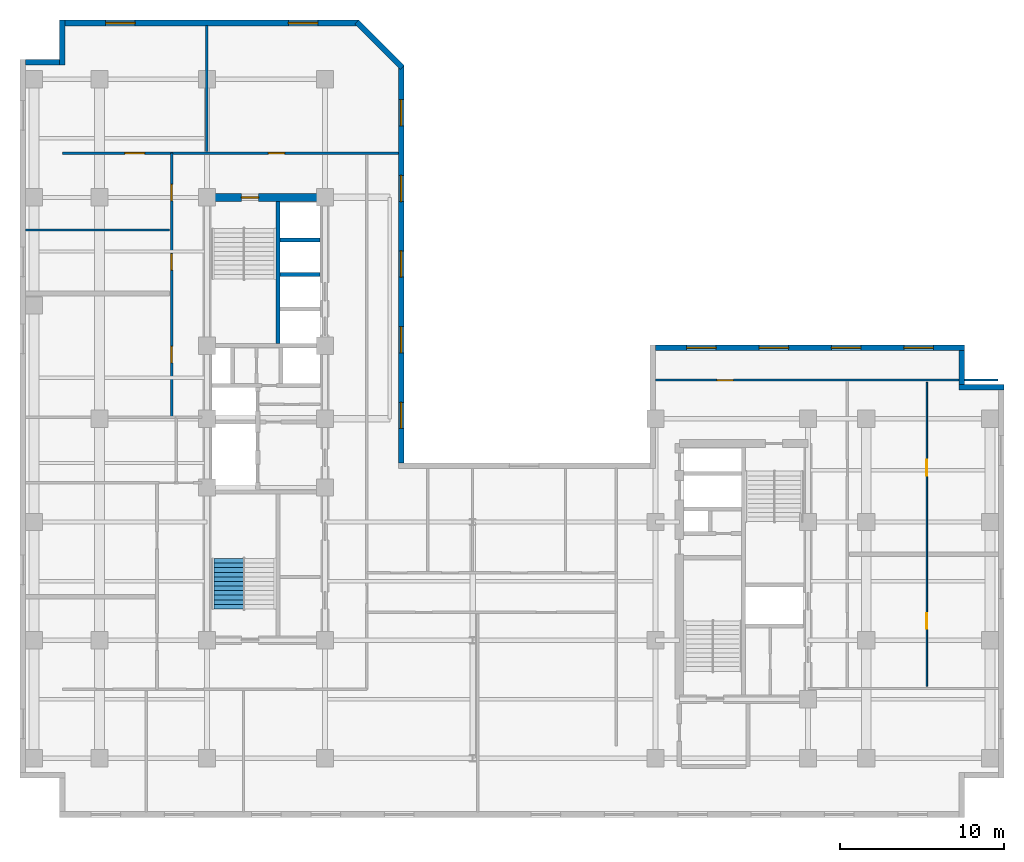
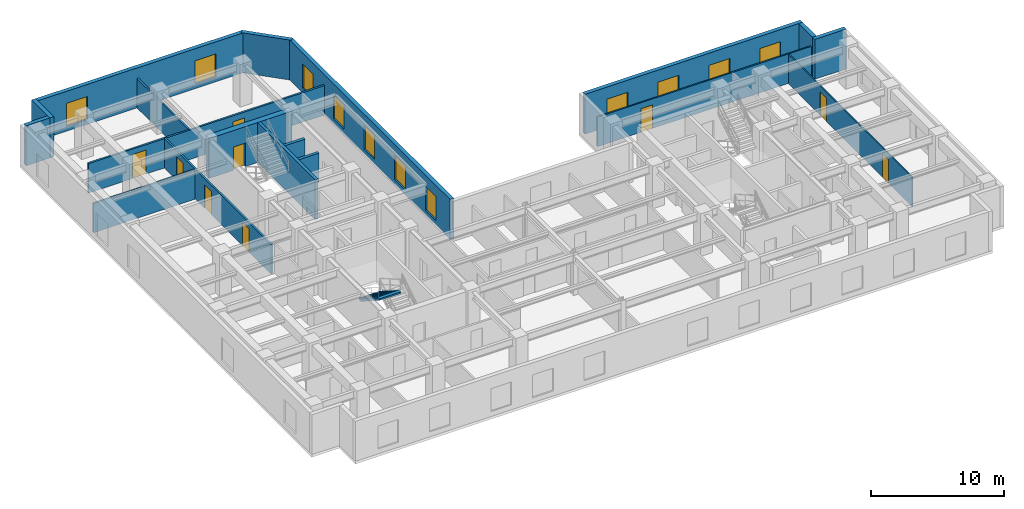
# One storey, part 6 of 10: 18 walls, 11 windows, 9 doors, 1 stair flight, 20 openings, 1 element without a shape of its own.
"""IFC4 building model written with IfcOpenShell, lengths in metres."""

from ifc_helpers import new_model, entity, si_unit, converted_unit, direction, frame, origin_with_axes, origin_2d_with_axis, place, context, subcontext, project, spatial, polyline, rectangle, outline, extrude, material, layer, layer_set, type_object, element, fill, aggregate, save


model = new_model("IFC4")

# Units and contexts
model_context = context("Model", 3, precision=1e-05, world=origin_with_axes(), true_north=direction((0.0, 1.0)))
body_context = subcontext(model_context, "Body", "Model", "MODEL_VIEW")
ifc_project = project(units=[si_unit("LENGTHUNIT", "METRE"), si_unit("AREAUNIT", "SQUARE_METRE"), si_unit("VOLUMEUNIT", "CUBIC_METRE"), converted_unit("PLANEANGLEUNIT", "DEGREE", entity("IfcPlaneAngleMeasure", 0.017453292519943295), si_unit("PLANEANGLEUNIT", "RADIAN"), dimensions=[0, 0, 0, 0, 0, 0, 0]), si_unit("MASSUNIT", "GRAM", prefix="KILO"), si_unit("THERMODYNAMICTEMPERATUREUNIT", "KELVIN")], contexts=[model_context])

# Site, building, storey
site_placement = place(None, origin_with_axes())
site = spatial("IfcSite", under=ifc_project, at=site_placement, CompositionType="ELEMENT")
building_placement = place(site_placement, origin_with_axes())
building = spatial("IfcBuilding", under=site, at=building_placement, Name="Varnlund Millrace Tower", CompositionType="ELEMENT")
storey_placement = place(building_placement, frame((0.0, 0.0, 160.2), z_axis=(0.0, 0.0, 1.0), x_axis=(1.0, 0.0, 0.0)))
storey = spatial("IfcBuildingStorey", under=building, at=storey_placement, Name="L39", CompositionType="ELEMENT", Elevation=160.2)

# Wall, opening, door
ifc_material_1 = material(Name="Concrete C70/85", Category="concrete")
ifc_layer_1 = layer(ifc_material_1, 0.5, Name="Concrete C70/85")
ifc_layer_set_1 = layer_set([ifc_layer_1], Name="Concrete C70/85")
wall_type_1 = type_object("IfcWallType", Name="Type-CoreWall-Shear-500-C70", PredefinedType="SHEAR", material=ifc_layer_set_1)
wall_1_placement = place(storey_placement, frame((11.4, 37.8, 0.0), z_axis=(0.0, 0.0, 1.0), x_axis=(1.0, 0.0, 0.0)))
wall_1 = element("IfcWall", 1, at=wall_1_placement, inside=storey, type_object=wall_type_1, Name="Type-CoreWall-Shear-500-C70", PredefinedType="SHEAR", context=body_context, shape_type="SweptSolid", body=[
    extrude(outline(polyline([(0.0, -0.25), (7.2, -0.25), (7.2, 0.25), (0.0, 0.25), (0.0, -0.25)])), origin_with_axes(), (0.0, 0.0, 1.0), 3.66),
])
opening_1_placement = place(wall_1_placement, frame((2.625, 0.0, 0.0), z_axis=(0.0, 0.0, 1.0), x_axis=(1.0, 0.0, 0.0)))
opening_1 = element("IfcOpeningElement", 2, at=opening_1_placement, cuts=wall_1, Name="Opening L39:DR-STA2", PredefinedType="OPENING", context=body_context, shape_type="SweptSolid", body=[
    extrude(rectangle(XDim=1.05, YDim=0.52, at=origin_2d_with_axis()), origin_with_axes(), (0.0, 0.0, 1.0), 2.15),
])
ifc_material_2 = material(Name="Fire-rated hollow steel door", Category="steel")
door_type_1 = type_object("IfcDoorType", Name="Type-FireDoor-Stair-1050X2150", OperationType="NOTDEFINED", PredefinedType="DOOR", material=ifc_material_2)
door_1_placement = place(wall_1_placement, frame((2.625, 0.0, 0.0), z_axis=(0.0, 0.0, 1.0), x_axis=(1.0, 0.0, 0.0)))
door_1 = element("IfcDoor", 3, at=door_1_placement, inside=storey, type_object=door_type_1, Name="Type-FireDoor-Stair-1050X2150", OperationType="SINGLE_SWING_RIGHT", OverallHeight=2.15, OverallWidth=1.05, PredefinedType="DOOR", context=body_context, shape_type="SweptSolid", body=[
    extrude(rectangle(XDim=1.05, YDim=0.09, at=origin_2d_with_axis()), origin_with_axes(), (0.0, 0.0, 1.0), 2.15),
])
fill(opening_1, door_1)

# Wall, openings, windows
ifc_material_3 = material(Name="Precast concrete C50/60", Category="concrete")
ifc_layer_2 = layer(ifc_material_3, 0.34, Name="Precast concrete C50/60")
ifc_layer_set_2 = layer_set([ifc_layer_2], Name="Precast concrete C50/60")
wall_type_2 = type_object("IfcWallType", Name="Type-ExtWall-Precast-Upper-340", PredefinedType="SOLIDWALL", material=ifc_layer_set_2)
wall_2_placement = place(storey_placement, frame((38.74, 28.63, 0.0), z_axis=(0.0, 0.0, 1.0), x_axis=(1.0, 0.0, 0.0)))
wall_2 = element("IfcWall", 4, at=wall_2_placement, inside=storey, type_object=wall_type_2, Name="Type-ExtWall-Precast-Upper-340", PredefinedType="SOLIDWALL", context=body_context, shape_type="SweptSolid", body=[
    extrude(outline(polyline([(0.0, -0.17), (18.86, -0.17), (18.86, 0.17), (0.0, 0.17), (0.0, -0.17)])), origin_with_axes(), (0.0, 0.0, 1.0), 3.66),
])
opening_2_placement = place(wall_2_placement, frame((2.808, 0.0, 0.45), z_axis=(0.0, 0.0, 1.0), x_axis=(1.0, 0.0, 0.0)))
opening_2 = element("IfcOpeningElement", 5, at=opening_2_placement, cuts=wall_2, Name="Opening L39:WN-01", PredefinedType="OPENING", context=body_context, shape_type="SweptSolid", body=[
    extrude(rectangle(XDim=1.8, YDim=0.36, at=origin_2d_with_axis()), origin_with_axes(), (0.0, 0.0, 1.0), 2.1),
])
opening_3_placement = place(wall_2_placement, frame((7.222, 0.0, 0.45), z_axis=(0.0, 0.0, 1.0), x_axis=(1.0, 0.0, 0.0)))
opening_3 = element("IfcOpeningElement", 6, at=opening_3_placement, cuts=wall_2, Name="Opening L39:WN-02", PredefinedType="OPENING", context=body_context, shape_type="SweptSolid", body=[
    extrude(rectangle(XDim=1.8, YDim=0.36, at=origin_2d_with_axis()), origin_with_axes(), (0.0, 0.0, 1.0), 2.1),
])
opening_4_placement = place(wall_2_placement, frame((11.637, 0.0, 0.45), z_axis=(0.0, 0.0, 1.0), x_axis=(1.0, 0.0, 0.0)))
opening_4 = element("IfcOpeningElement", 7, at=opening_4_placement, cuts=wall_2, Name="Opening L39:WN-03", PredefinedType="OPENING", context=body_context, shape_type="SweptSolid", body=[
    extrude(rectangle(XDim=1.8, YDim=0.36, at=origin_2d_with_axis()), origin_with_axes(), (0.0, 0.0, 1.0), 2.1),
])
opening_5_placement = place(wall_2_placement, frame((16.053, 0.0, 0.45), z_axis=(0.0, 0.0, 1.0), x_axis=(1.0, 0.0, 0.0)))
opening_5 = element("IfcOpeningElement", 8, at=opening_5_placement, cuts=wall_2, Name="Opening L39:WN-04", PredefinedType="OPENING", context=body_context, shape_type="SweptSolid", body=[
    extrude(rectangle(XDim=1.8, YDim=0.36, at=origin_2d_with_axis()), origin_with_axes(), (0.0, 0.0, 1.0), 2.1),
])
ifc_material_4 = material(Name="Argon low-e triple glazing in thermally broken bronze frame", Category="glass")
window_type_1 = type_object("IfcWindowType", Name="Type-Window-Punched-1800X2100", PartitioningType="SINGLE_PANEL", PredefinedType="WINDOW", material=ifc_material_4)
window_1_placement = place(wall_2_placement, frame((2.808, 0.0, 0.45), z_axis=(0.0, 0.0, 1.0), x_axis=(1.0, 0.0, 0.0)))
window_1 = element("IfcWindow", 9, at=window_1_placement, inside=storey, type_object=window_type_1, Name="Type-Window-Punched-1800X2100", OverallHeight=2.1, OverallWidth=1.8, PredefinedType="WINDOW", context=body_context, shape_type="SweptSolid", body=[
    extrude(rectangle(XDim=1.8, YDim=0.09, at=origin_2d_with_axis()), origin_with_axes(), (0.0, 0.0, 1.0), 2.1),
])
fill(opening_2, window_1)
window_2_placement = place(wall_2_placement, frame((7.222, 0.0, 0.45), z_axis=(0.0, 0.0, 1.0), x_axis=(1.0, 0.0, 0.0)))
window_2 = element("IfcWindow", 10, at=window_2_placement, inside=storey, type_object=window_type_1, Name="Type-Window-Punched-1800X2100", OverallHeight=2.1, OverallWidth=1.8, PredefinedType="WINDOW", context=body_context, shape_type="SweptSolid", body=[
    extrude(rectangle(XDim=1.8, YDim=0.09, at=origin_2d_with_axis()), origin_with_axes(), (0.0, 0.0, 1.0), 2.1),
])
fill(opening_3, window_2)
window_3_placement = place(wall_2_placement, frame((11.637, 0.0, 0.45), z_axis=(0.0, 0.0, 1.0), x_axis=(1.0, 0.0, 0.0)))
window_3 = element("IfcWindow", 11, at=window_3_placement, inside=storey, type_object=window_type_1, Name="Type-Window-Punched-1800X2100", OverallHeight=2.1, OverallWidth=1.8, PredefinedType="WINDOW", context=body_context, shape_type="SweptSolid", body=[
    extrude(rectangle(XDim=1.8, YDim=0.09, at=origin_2d_with_axis()), origin_with_axes(), (0.0, 0.0, 1.0), 2.1),
])
fill(opening_4, window_3)
window_4_placement = place(wall_2_placement, frame((16.053, 0.0, 0.45), z_axis=(0.0, 0.0, 1.0), x_axis=(1.0, 0.0, 0.0)))
window_4 = element("IfcWindow", 12, at=window_4_placement, inside=storey, type_object=window_type_1, Name="Type-Window-Punched-1800X2100", OverallHeight=2.1, OverallWidth=1.8, PredefinedType="WINDOW", context=body_context, shape_type="SweptSolid", body=[
    extrude(rectangle(XDim=1.8, YDim=0.09, at=origin_2d_with_axis()), origin_with_axes(), (0.0, 0.0, 1.0), 2.1),
])
fill(opening_5, window_4)

# Walls
wall_3_placement = place(storey_placement, frame((57.43, 28.46, 0.0), z_axis=(0.0, 0.0, 1.0), x_axis=(0.0, -1.0, 0.0)))
element("IfcWall", 13, at=wall_3_placement, inside=storey, type_object=wall_type_2, Name="Type-ExtWall-Precast-Upper-340", PredefinedType="SOLIDWALL", context=body_context, shape_type="SweptSolid", body=[
    extrude(outline(polyline([(0.0, -0.17), (2.06, -0.17), (2.06, 0.17), (0.0, 0.17), (0.0, -0.17)])), origin_with_axes(), (0.0, 0.0, 1.0), 3.66),
])
wall_4_placement = place(storey_placement, frame((57.26, 26.23, 0.0), z_axis=(0.0, 0.0, 1.0), x_axis=(1.0, 0.0, 0.0)))
element("IfcWall", 14, at=wall_4_placement, inside=storey, type_object=wall_type_2, Name="Type-ExtWall-Precast-Upper-340", PredefinedType="SOLIDWALL", context=body_context, shape_type="SweptSolid", body=[
    extrude(outline(polyline([(0.0, -0.17), (2.74, -0.17), (2.74, 0.17), (0.0, 0.17), (0.0, -0.17)])), origin_with_axes(), (0.0, 0.0, 1.0), 3.66),
])
wall_5_placement = place(storey_placement, frame((0.34, 46.03, 0.0), z_axis=(0.0, 0.0, 1.0), x_axis=(1.0, 0.0, 0.0)))
element("IfcWall", 15, at=wall_5_placement, inside=storey, type_object=wall_type_2, Name="Type-ExtWall-Precast-Upper-340", PredefinedType="SOLIDWALL", context=body_context, shape_type="SweptSolid", body=[
    extrude(outline(polyline([(0.0, -0.17), (2.06, -0.17), (2.06, 0.17), (0.0, 0.17), (0.0, -0.17)])), origin_with_axes(), (0.0, 0.0, 1.0), 3.66),
])
wall_6_placement = place(storey_placement, frame((2.57, 45.86, 0.0), z_axis=(0.0, 0.0, 1.0), x_axis=(0.0, 1.0, 0.0)))
element("IfcWall", 16, at=wall_6_placement, inside=storey, type_object=wall_type_2, Name="Type-ExtWall-Precast-Upper-340", PredefinedType="SOLIDWALL", context=body_context, shape_type="SweptSolid", body=[
    extrude(outline(polyline([(0.0, -0.17), (2.74, -0.17), (2.74, 0.17), (0.0, 0.17), (0.0, -0.17)])), origin_with_axes(), (0.0, 0.0, 1.0), 3.66),
])

# Wall, openings, windows
wall_7_placement = place(storey_placement, frame((2.74, 48.43, 0.0), z_axis=(0.0, 0.0, 1.0), x_axis=(1.0, 0.0, 0.0)))
wall_7 = element("IfcWall", 17, at=wall_7_placement, inside=storey, type_object=wall_type_2, Name="Type-ExtWall-Precast-Upper-340", PredefinedType="SOLIDWALL", context=body_context, shape_type="SweptSolid", body=[
    extrude(outline(polyline([(0.0, -0.17), (17.916, -0.17), (17.916, 0.17), (0.0, 0.17), (0.0, -0.17)])), origin_with_axes(), (0.0, 0.0, 1.0), 3.66),
])
opening_6_placement = place(wall_7_placement, frame((3.386, 0.0, 0.45), z_axis=(0.0, 0.0, 1.0), x_axis=(1.0, 0.0, 0.0)))
opening_6 = element("IfcOpeningElement", 18, at=opening_6_placement, cuts=wall_7, Name="Opening L39:WN-24", PredefinedType="OPENING", context=body_context, shape_type="SweptSolid", body=[
    extrude(rectangle(XDim=1.8, YDim=0.36, at=origin_2d_with_axis()), origin_with_axes(), (0.0, 0.0, 1.0), 2.1),
])
opening_7_placement = place(wall_7_placement, frame((14.53, 0.0, 0.45), z_axis=(0.0, 0.0, 1.0), x_axis=(1.0, 0.0, 0.0)))
opening_7 = element("IfcOpeningElement", 19, at=opening_7_placement, cuts=wall_7, Name="Opening L39:WN-25", PredefinedType="OPENING", context=body_context, shape_type="SweptSolid", body=[
    extrude(rectangle(XDim=1.8, YDim=0.36, at=origin_2d_with_axis()), origin_with_axes(), (0.0, 0.0, 1.0), 2.1),
])
window_5_placement = place(wall_7_placement, frame((3.386, 0.0, 0.45), z_axis=(0.0, 0.0, 1.0), x_axis=(1.0, 0.0, 0.0)))
window_5 = element("IfcWindow", 20, at=window_5_placement, inside=storey, type_object=window_type_1, Name="Type-Window-Punched-1800X2100", OverallHeight=2.1, OverallWidth=1.8, PredefinedType="WINDOW", context=body_context, shape_type="SweptSolid", body=[
    extrude(rectangle(XDim=1.8, YDim=0.09, at=origin_2d_with_axis()), origin_with_axes(), (0.0, 0.0, 1.0), 2.1),
])
fill(opening_6, window_5)
window_6_placement = place(wall_7_placement, frame((14.53, 0.0, 0.45), z_axis=(0.0, 0.0, 1.0), x_axis=(1.0, 0.0, 0.0)))
window_6 = element("IfcWindow", 21, at=window_6_placement, inside=storey, type_object=window_type_1, Name="Type-Window-Punched-1800X2100", OverallHeight=2.1, OverallWidth=1.8, PredefinedType="WINDOW", context=body_context, shape_type="SweptSolid", body=[
    extrude(rectangle(XDim=1.8, YDim=0.09, at=origin_2d_with_axis()), origin_with_axes(), (0.0, 0.0, 1.0), 2.1),
])
fill(opening_7, window_6)

# Wall
wall_8_placement = place(storey_placement, frame((20.522, 48.494, 0.0), z_axis=(0.0, 0.0, 1.0), x_axis=(0.707107, -0.707107, 0.0)))
element("IfcWall", 22, at=wall_8_placement, inside=storey, type_object=wall_type_2, Name="Type-ExtWall-Precast-Upper-340", PredefinedType="SOLIDWALL", context=body_context, shape_type="SweptSolid", body=[
    extrude(outline(polyline([(0.0, -0.17), (3.923028, -0.17), (3.923028, 0.17), (0.0, 0.17), (0.0, -0.17)])), origin_with_axes(), (0.0, 0.0, 1.0), 3.66),
])

# Wall, openings, windows
wall_9_placement = place(storey_placement, frame((23.246, 45.86, 0.0), z_axis=(0.0, 0.0, 1.0), x_axis=(0.0, -1.0, 0.0)))
wall_9 = element("IfcWall", 23, at=wall_9_placement, inside=storey, type_object=wall_type_2, Name="Type-ExtWall-Precast-Upper-340", PredefinedType="SOLIDWALL", context=body_context, shape_type="SweptSolid", body=[
    extrude(outline(polyline([(0.0, -0.17), (24.26, -0.17), (24.26, 0.17), (0.0, 0.17), (0.0, -0.17)])), origin_with_axes(), (0.0, 0.0, 1.0), 3.66),
])
opening_8_placement = place(wall_9_placement, frame((2.906, 0.0, 0.45), z_axis=(0.0, 0.0, 1.0), x_axis=(1.0, 0.0, 0.0)))
opening_8 = element("IfcOpeningElement", 24, at=opening_8_placement, cuts=wall_9, Name="Opening L39:WN-26", PredefinedType="OPENING", context=body_context, shape_type="SweptSolid", body=[
    extrude(rectangle(XDim=1.6, YDim=0.36, at=origin_2d_with_axis()), origin_with_axes(), (0.0, 0.0, 1.0), 2.2),
])
opening_9_placement = place(wall_9_placement, frame((7.518, 0.0, 0.45), z_axis=(0.0, 0.0, 1.0), x_axis=(1.0, 0.0, 0.0)))
opening_9 = element("IfcOpeningElement", 25, at=opening_9_placement, cuts=wall_9, Name="Opening L39:WN-27", PredefinedType="OPENING", context=body_context, shape_type="SweptSolid", body=[
    extrude(rectangle(XDim=1.6, YDim=0.36, at=origin_2d_with_axis()), origin_with_axes(), (0.0, 0.0, 1.0), 2.2),
])
opening_10_placement = place(wall_9_placement, frame((12.13, 0.0, 0.45), z_axis=(0.0, 0.0, 1.0), x_axis=(1.0, 0.0, 0.0)))
opening_10 = element("IfcOpeningElement", 26, at=opening_10_placement, cuts=wall_9, Name="Opening L39:WN-28", PredefinedType="OPENING", context=body_context, shape_type="SweptSolid", body=[
    extrude(rectangle(XDim=1.6, YDim=0.36, at=origin_2d_with_axis()), origin_with_axes(), (0.0, 0.0, 1.0), 2.2),
])
opening_11_placement = place(wall_9_placement, frame((16.742, 0.0, 0.45), z_axis=(0.0, 0.0, 1.0), x_axis=(1.0, 0.0, 0.0)))
opening_11 = element("IfcOpeningElement", 27, at=opening_11_placement, cuts=wall_9, Name="Opening L39:WN-29", PredefinedType="OPENING", context=body_context, shape_type="SweptSolid", body=[
    extrude(rectangle(XDim=1.6, YDim=0.36, at=origin_2d_with_axis()), origin_with_axes(), (0.0, 0.0, 1.0), 2.2),
])
opening_12_placement = place(wall_9_placement, frame((21.354, 0.0, 0.45), z_axis=(0.0, 0.0, 1.0), x_axis=(1.0, 0.0, 0.0)))
opening_12 = element("IfcOpeningElement", 28, at=opening_12_placement, cuts=wall_9, Name="Opening L39:WN-30", PredefinedType="OPENING", context=body_context, shape_type="SweptSolid", body=[
    extrude(rectangle(XDim=1.6, YDim=0.36, at=origin_2d_with_axis()), origin_with_axes(), (0.0, 0.0, 1.0), 2.2),
])
window_type_2 = type_object("IfcWindowType", Name="Type-Window-Slot-1600X2200", PartitioningType="SINGLE_PANEL", PredefinedType="WINDOW", material=ifc_material_4)
window_7_placement = place(wall_9_placement, frame((2.906, 0.0, 0.45), z_axis=(0.0, 0.0, 1.0), x_axis=(1.0, 0.0, 0.0)))
window_7 = element("IfcWindow", 29, at=window_7_placement, inside=storey, type_object=window_type_2, Name="Type-Window-Slot-1600X2200", OverallHeight=2.2, OverallWidth=1.6, PredefinedType="WINDOW", context=body_context, shape_type="SweptSolid", body=[
    extrude(rectangle(XDim=1.6, YDim=0.09, at=origin_2d_with_axis()), origin_with_axes(), (0.0, 0.0, 1.0), 2.2),
])
fill(opening_8, window_7)
window_8_placement = place(wall_9_placement, frame((7.518, 0.0, 0.45), z_axis=(0.0, 0.0, 1.0), x_axis=(1.0, 0.0, 0.0)))
window_8 = element("IfcWindow", 30, at=window_8_placement, inside=storey, type_object=window_type_2, Name="Type-Window-Slot-1600X2200", OverallHeight=2.2, OverallWidth=1.6, PredefinedType="WINDOW", context=body_context, shape_type="SweptSolid", body=[
    extrude(rectangle(XDim=1.6, YDim=0.09, at=origin_2d_with_axis()), origin_with_axes(), (0.0, 0.0, 1.0), 2.2),
])
fill(opening_9, window_8)
window_9_placement = place(wall_9_placement, frame((12.13, 0.0, 0.45), z_axis=(0.0, 0.0, 1.0), x_axis=(1.0, 0.0, 0.0)))
window_9 = element("IfcWindow", 31, at=window_9_placement, inside=storey, type_object=window_type_2, Name="Type-Window-Slot-1600X2200", OverallHeight=2.2, OverallWidth=1.6, PredefinedType="WINDOW", context=body_context, shape_type="SweptSolid", body=[
    extrude(rectangle(XDim=1.6, YDim=0.09, at=origin_2d_with_axis()), origin_with_axes(), (0.0, 0.0, 1.0), 2.2),
])
fill(opening_10, window_9)
window_10_placement = place(wall_9_placement, frame((16.742, 0.0, 0.45), z_axis=(0.0, 0.0, 1.0), x_axis=(1.0, 0.0, 0.0)))
window_10 = element("IfcWindow", 32, at=window_10_placement, inside=storey, type_object=window_type_2, Name="Type-Window-Slot-1600X2200", OverallHeight=2.2, OverallWidth=1.6, PredefinedType="WINDOW", context=body_context, shape_type="SweptSolid", body=[
    extrude(rectangle(XDim=1.6, YDim=0.09, at=origin_2d_with_axis()), origin_with_axes(), (0.0, 0.0, 1.0), 2.2),
])
fill(opening_11, window_10)
window_11_placement = place(wall_9_placement, frame((21.354, 0.0, 0.45), z_axis=(0.0, 0.0, 1.0), x_axis=(1.0, 0.0, 0.0)))
window_11 = element("IfcWindow", 33, at=window_11_placement, inside=storey, type_object=window_type_2, Name="Type-Window-Slot-1600X2200", OverallHeight=2.2, OverallWidth=1.6, PredefinedType="WINDOW", context=body_context, shape_type="SweptSolid", body=[
    extrude(rectangle(XDim=1.6, YDim=0.09, at=origin_2d_with_axis()), origin_with_axes(), (0.0, 0.0, 1.0), 2.2),
])
fill(opening_12, window_11)

# Wall, openings, doors
ifc_material_5 = material(Name="Fire-rated gypsum board on cold-formed steel framing", Category="steel")
ifc_layer_3 = layer(ifc_material_5, 0.16, Name="Fire-rated gypsum board on cold-formed steel framing")
ifc_layer_set_3 = layer_set([ifc_layer_3], Name="Fire-rated gypsum board on cold-formed steel framing")
wall_type_3 = type_object("IfcWallType", Name="Type-Partition-Corridor-160", PredefinedType="PARTITIONING", material=ifc_layer_set_3)
wall_10_placement = place(storey_placement, frame((2.6, 40.5, 0.0), z_axis=(0.0, 0.0, 1.0), x_axis=(1.0, 0.0, 0.0)))
wall_10 = element("IfcWall", 34, at=wall_10_placement, inside=storey, type_object=wall_type_3, Name="Type-Partition-Corridor-160", PredefinedType="PARTITIONING", context=body_context, shape_type="SweptSolid", body=[
    extrude(outline(polyline([(0.0, -0.08), (20.481, -0.08), (20.481, 0.08), (0.0, 0.08), (0.0, -0.08)])), origin_with_axes(), (0.0, 0.0, 1.0), 2.7),
])
opening_13_placement = place(wall_10_placement, frame((4.395, 0.0, 0.0), z_axis=(0.0, 0.0, 1.0), x_axis=(1.0, 0.0, 0.0)))
opening_13 = element("IfcOpeningElement", 35, at=opening_13_placement, cuts=wall_10, Name="Opening L39:DR-WAN-01", PredefinedType="OPENING", context=body_context, shape_type="SweptSolid", body=[
    extrude(rectangle(XDim=1.2, YDim=0.18, at=origin_2d_with_axis()), origin_with_axes(), (0.0, 0.0, 1.0), 2.2),
])
opening_14_placement = place(wall_10_placement, frame((13.043, 0.0, 0.0), z_axis=(0.0, 0.0, 1.0), x_axis=(1.0, 0.0, 0.0)))
opening_14 = element("IfcOpeningElement", 36, at=opening_14_placement, cuts=wall_10, Name="Opening L39:DR-WAN-02", PredefinedType="OPENING", context=body_context, shape_type="SweptSolid", body=[
    extrude(rectangle(XDim=1.0, YDim=0.18, at=origin_2d_with_axis()), origin_with_axes(), (0.0, 0.0, 1.0), 2.15),
])
ifc_material_6 = material(Name="Wide executive white oak acoustic door")
door_type_2 = type_object("IfcDoorType", Name="Type-IntDoor-Exec-1200X2200", OperationType="NOTDEFINED", PredefinedType="DOOR", material=ifc_material_6)
door_2_placement = place(wall_10_placement, frame((4.395, 0.0, 0.0), z_axis=(0.0, 0.0, 1.0), x_axis=(1.0, 0.0, 0.0)))
door_2 = element("IfcDoor", 37, at=door_2_placement, inside=storey, type_object=door_type_2, Name="Type-IntDoor-Exec-1200X2200", OperationType="SINGLE_SWING_LEFT", OverallHeight=2.2, OverallWidth=1.2, PredefinedType="DOOR", context=body_context, shape_type="SweptSolid", body=[
    extrude(rectangle(XDim=1.2, YDim=0.09, at=origin_2d_with_axis()), origin_with_axes(), (0.0, 0.0, 1.0), 2.2),
])
fill(opening_13, door_2)
ifc_material_7 = material(Name="Solid-core white oak and bronze frame door")
door_type_3 = type_object("IfcDoorType", Name="Type-IntDoor-Office-1000X2150", OperationType="NOTDEFINED", PredefinedType="DOOR", material=ifc_material_7)
door_3_placement = place(wall_10_placement, frame((13.043, 0.0, 0.0), z_axis=(0.0, 0.0, 1.0), x_axis=(1.0, 0.0, 0.0)))
door_3 = element("IfcDoor", 38, at=door_3_placement, inside=storey, type_object=door_type_3, Name="Type-IntDoor-Office-1000X2150", OperationType="SINGLE_SWING_RIGHT", OverallHeight=2.15, OverallWidth=1.0, PredefinedType="DOOR", context=body_context, shape_type="SweptSolid", body=[
    extrude(rectangle(XDim=1.0, YDim=0.09, at=origin_2d_with_axis()), origin_with_axes(), (0.0, 0.0, 1.0), 2.15),
])
fill(opening_14, door_3)

wall_11_placement = place(storey_placement, frame((9.25, 24.4, 0.0), z_axis=(0.0, 0.0, 1.0), x_axis=(0.0, 1.0, 0.0)))
wall_11 = element("IfcWall", 39, at=wall_11_placement, inside=storey, type_object=wall_type_3, Name="Type-Partition-Corridor-160", PredefinedType="PARTITIONING", context=body_context, shape_type="SweptSolid", body=[
    extrude(outline(polyline([(0.0, -0.08), (16.1, -0.08), (16.1, 0.08), (0.0, 0.08), (0.0, -0.08)])), origin_with_axes(), (0.0, 0.0, 1.0), 2.7),
])
opening_15_placement = place(wall_11_placement, frame((3.8075, 0.0, 0.0), z_axis=(0.0, 0.0, 1.0), x_axis=(1.0, 0.0, 0.0)))
opening_15 = element("IfcOpeningElement", 40, at=opening_15_placement, cuts=wall_11, Name="Opening L39:DR-WN-01", PredefinedType="OPENING", context=body_context, shape_type="SweptSolid", body=[
    extrude(rectangle(XDim=1.0, YDim=0.18, at=origin_2d_with_axis()), origin_with_axes(), (0.0, 0.0, 1.0), 2.15),
])
opening_16_placement = place(wall_11_placement, frame((9.467, 0.0, 0.0), z_axis=(0.0, 0.0, 1.0), x_axis=(1.0, 0.0, 0.0)))
opening_16 = element("IfcOpeningElement", 41, at=opening_16_placement, cuts=wall_11, Name="Opening L39:DR-WN-02", PredefinedType="OPENING", context=body_context, shape_type="SweptSolid", body=[
    extrude(rectangle(XDim=1.0, YDim=0.18, at=origin_2d_with_axis()), origin_with_axes(), (0.0, 0.0, 1.0), 2.15),
])
opening_17_placement = place(wall_11_placement, frame((13.6845, 0.0, 0.0), z_axis=(0.0, 0.0, 1.0), x_axis=(1.0, 0.0, 0.0)))
opening_17 = element("IfcOpeningElement", 42, at=opening_17_placement, cuts=wall_11, Name="Opening L39:DR-WN-03", PredefinedType="OPENING", context=body_context, shape_type="SweptSolid", body=[
    extrude(rectangle(XDim=1.0, YDim=0.18, at=origin_2d_with_axis()), origin_with_axes(), (0.0, 0.0, 1.0), 2.15),
])
door_4_placement = place(wall_11_placement, frame((3.8075, 0.0, 0.0), z_axis=(0.0, 0.0, 1.0), x_axis=(1.0, 0.0, 0.0)))
door_4 = element("IfcDoor", 43, at=door_4_placement, inside=storey, type_object=door_type_3, Name="Type-IntDoor-Office-1000X2150", OperationType="SINGLE_SWING_LEFT", OverallHeight=2.15, OverallWidth=1.0, PredefinedType="DOOR", context=body_context, shape_type="SweptSolid", body=[
    extrude(rectangle(XDim=1.0, YDim=0.09, at=origin_2d_with_axis()), origin_with_axes(), (0.0, 0.0, 1.0), 2.15),
])
fill(opening_15, door_4)
door_5_placement = place(wall_11_placement, frame((9.467, 0.0, 0.0), z_axis=(0.0, 0.0, 1.0), x_axis=(1.0, 0.0, 0.0)))
door_5 = element("IfcDoor", 44, at=door_5_placement, inside=storey, type_object=door_type_3, Name="Type-IntDoor-Office-1000X2150", OperationType="SINGLE_SWING_RIGHT", OverallHeight=2.15, OverallWidth=1.0, PredefinedType="DOOR", context=body_context, shape_type="SweptSolid", body=[
    extrude(rectangle(XDim=1.0, YDim=0.09, at=origin_2d_with_axis()), origin_with_axes(), (0.0, 0.0, 1.0), 2.15),
])
fill(opening_16, door_5)
door_6_placement = place(wall_11_placement, frame((13.6845, 0.0, 0.0), z_axis=(0.0, 0.0, 1.0), x_axis=(1.0, 0.0, 0.0)))
door_6 = element("IfcDoor", 45, at=door_6_placement, inside=storey, type_object=door_type_3, Name="Type-IntDoor-Office-1000X2150", OperationType="SINGLE_SWING_LEFT", OverallHeight=2.15, OverallWidth=1.0, PredefinedType="DOOR", context=body_context, shape_type="SweptSolid", body=[
    extrude(rectangle(XDim=1.0, YDim=0.09, at=origin_2d_with_axis()), origin_with_axes(), (0.0, 0.0, 1.0), 2.15),
])
fill(opening_17, door_6)

# Wall
ifc_material_8 = material(Name="Acoustic STC-50 gypsum board partition", Category="gypsum")
ifc_layer_4 = layer(ifc_material_8, 0.15, Name="Acoustic STC-50 gypsum board partition")
ifc_layer_set_4 = layer_set([ifc_layer_4], Name="Acoustic STC-50 gypsum board partition")
wall_type_4 = type_object("IfcWallType", Name="Type-Partition-Demising-150", PredefinedType="PARTITIONING", material=ifc_layer_set_4)
wall_12_placement = place(storey_placement, frame((11.4, 40.6, 0.0), z_axis=(0.0, 0.0, 1.0), x_axis=(0.0, 1.0, 0.0)))
element("IfcWall", 46, at=wall_12_placement, inside=storey, type_object=wall_type_4, Name="Type-Partition-Demising-150", PredefinedType="PARTITIONING", context=body_context, shape_type="SweptSolid", body=[
    extrude(outline(polyline([(0.0, -0.075), (7.665, -0.075), (7.665, 0.075), (0.0, 0.075), (0.0, -0.075)])), origin_with_axes(), (0.0, 0.0, 1.0), 2.7),
])

# Wall, openings, doors
ifc_material_9 = material(Name="Architectural bronze and acoustic glass office front", Category="glass")
ifc_layer_5 = layer(ifc_material_9, 0.1, Name="Architectural bronze and acoustic glass office front")
ifc_layer_set_5 = layer_set([ifc_layer_5], Name="Architectural bronze and acoustic glass office front")
wall_type_5 = type_object("IfcWallType", Name="Type-Partition-Glazed-100", PredefinedType="PARTITIONING", material=ifc_layer_set_5)
wall_13_placement = place(storey_placement, frame((55.3, 7.98, 0.0), z_axis=(0.0, 0.0, 1.0), x_axis=(0.0, 1.0, 0.0)))
wall_13 = element("IfcWall", 47, at=wall_13_placement, inside=storey, type_object=wall_type_5, Name="Type-Partition-Glazed-100", PredefinedType="PARTITIONING", context=body_context, shape_type="SweptSolid", body=[
    extrude(outline(polyline([(0.0, -0.05), (18.54, -0.05), (18.54, 0.05), (0.0, 0.05), (0.0, -0.05)])), origin_with_axes(), (0.0, 0.0, 1.0), 2.7),
])
opening_18_placement = place(wall_13_placement, frame((3.9905, 0.0, 0.0), z_axis=(0.0, 0.0, 1.0), x_axis=(1.0, 0.0, 0.0)))
opening_18 = element("IfcOpeningElement", 48, at=opening_18_placement, cuts=wall_13, Name="Opening L39:DR-WB-S01", PredefinedType="OPENING", context=body_context, shape_type="SweptSolid", body=[
    extrude(rectangle(XDim=0.95, YDim=0.12, at=origin_2d_with_axis()), origin_with_axes(), (0.0, 0.0, 1.0), 2.15),
])
opening_19_placement = place(wall_13_placement, frame((13.3305, 0.0, 0.0), z_axis=(0.0, 0.0, 1.0), x_axis=(1.0, 0.0, 0.0)))
opening_19 = element("IfcOpeningElement", 49, at=opening_19_placement, cuts=wall_13, Name="Opening L39:DR-WB-S02", PredefinedType="OPENING", context=body_context, shape_type="SweptSolid", body=[
    extrude(rectangle(XDim=0.95, YDim=0.12, at=origin_2d_with_axis()), origin_with_axes(), (0.0, 0.0, 1.0), 2.15),
])
ifc_material_10 = material(Name="Solid-core acoustic office door")
door_type_4 = type_object("IfcDoorType", Name="Type-IntDoor-Tenant-950X2150", OperationType="NOTDEFINED", PredefinedType="DOOR", material=ifc_material_10)
door_7_placement = place(wall_13_placement, frame((3.9905, 0.0, 0.0), z_axis=(0.0, 0.0, 1.0), x_axis=(1.0, 0.0, 0.0)))
door_7 = element("IfcDoor", 50, at=door_7_placement, inside=storey, type_object=door_type_4, Name="Type-IntDoor-Tenant-950X2150", OperationType="SINGLE_SWING_LEFT", OverallHeight=2.15, OverallWidth=0.95, PredefinedType="DOOR", context=body_context, shape_type="SweptSolid", body=[
    extrude(rectangle(XDim=0.95, YDim=0.06, at=origin_2d_with_axis()), origin_with_axes(), (0.0, 0.0, 1.0), 2.15),
])
fill(opening_18, door_7)
door_8_placement = place(wall_13_placement, frame((13.3305, 0.0, 0.0), z_axis=(0.0, 0.0, 1.0), x_axis=(1.0, 0.0, 0.0)))
door_8 = element("IfcDoor", 51, at=door_8_placement, inside=storey, type_object=door_type_4, Name="Type-IntDoor-Tenant-950X2150", OperationType="SINGLE_SWING_LEFT", OverallHeight=2.15, OverallWidth=0.95, PredefinedType="DOOR", context=body_context, shape_type="SweptSolid", body=[
    extrude(rectangle(XDim=0.95, YDim=0.06, at=origin_2d_with_axis()), origin_with_axes(), (0.0, 0.0, 1.0), 2.15),
])
fill(opening_19, door_8)

# Wall
ifc_material_11 = material(Name="Gypsum board tenant partition", Category="gypsum")
ifc_layer_6 = layer(ifc_material_11, 0.125, Name="Gypsum board tenant partition")
ifc_layer_set_6 = layer_set([ifc_layer_6], Name="Gypsum board tenant partition")
wall_type_6 = type_object("IfcWallType", Name="Type-Partition-Tenant-125", PredefinedType="PARTITIONING", material=ifc_layer_set_6)
wall_14_placement = place(storey_placement, frame((0.335, 35.799, 0.0), z_axis=(0.0, 0.0, 1.0), x_axis=(1.0, 0.0, 0.0)))
element("IfcWall", 52, at=wall_14_placement, inside=storey, type_object=wall_type_6, Name="Type-Partition-Tenant-125", PredefinedType="PARTITIONING", context=body_context, shape_type="SweptSolid", body=[
    extrude(outline(polyline([(0.0, -0.0625), (8.795, -0.0625), (8.795, 0.0625), (0.0, 0.0625), (0.0, -0.0625)])), origin_with_axes(), (0.0, 0.0, 1.0), 2.7),
])

# Wall, opening, door
wall_15_placement = place(storey_placement, frame((38.735, 26.65, 0.0), z_axis=(0.0, 0.0, 1.0), x_axis=(1.0, 0.0, 0.0)))
wall_15 = element("IfcWall", 53, at=wall_15_placement, inside=storey, type_object=wall_type_6, Name="Type-Partition-Tenant-125", PredefinedType="PARTITIONING", context=body_context, shape_type="SweptSolid", body=[
    extrude(outline(polyline([(0.0, -0.0625), (20.905, -0.0625), (20.905, 0.0625), (0.0, 0.0625), (0.0, -0.0625)])), origin_with_axes(), (0.0, 0.0, 1.0), 2.7),
])
opening_20_placement = place(wall_15_placement, frame((4.265, 0.0, 0.0), z_axis=(0.0, 0.0, 1.0), x_axis=(1.0, 0.0, 0.0)))
opening_20 = element("IfcOpeningElement", 54, at=opening_20_placement, cuts=wall_15, Name="Opening L39:DR-WBN-01", PredefinedType="OPENING", context=body_context, shape_type="SweptSolid", body=[
    extrude(rectangle(XDim=1.0, YDim=0.145, at=origin_2d_with_axis()), origin_with_axes(), (0.0, 0.0, 1.0), 2.15),
])
door_9_placement = place(wall_15_placement, frame((4.265, 0.0, 0.0), z_axis=(0.0, 0.0, 1.0), x_axis=(1.0, 0.0, 0.0)))
door_9 = element("IfcDoor", 55, at=door_9_placement, inside=storey, type_object=door_type_3, Name="Type-IntDoor-Office-1000X2150", OperationType="SINGLE_SWING_RIGHT", OverallHeight=2.15, OverallWidth=1.0, PredefinedType="DOOR", context=body_context, shape_type="SweptSolid", body=[
    extrude(rectangle(XDim=1.0, YDim=0.075, at=origin_2d_with_axis()), origin_with_axes(), (0.0, 0.0, 1.0), 2.15),
])
fill(opening_20, door_9)

# Walls
ifc_material_12 = material(Name="Concrete C60/75", Category="concrete")
ifc_layer_7 = layer(ifc_material_12, 0.25, Name="Concrete C60/75")
ifc_layer_set_7 = layer_set([ifc_layer_7], Name="Concrete C60/75")
wall_type_7 = type_object("IfcWallType", Name="Type-ShaftWall-Fire-250", PredefinedType="SOLIDWALL", material=ifc_layer_set_7)
for number, where, z_axis, x_axis, name in (
    (56, (15.84, 33.1, 0.0), (0.0, 0.0, 1.0), (1.0, 0.0, 0.0), "Type-ShaftWall-Fire-250"),
    (57, (15.84, 35.2, 0.0), (0.0, 0.0, 1.0), (1.0, 0.0, 0.0), "Type-ShaftWall-Fire-250"),
):
    element("IfcWall", number, at=place(storey_placement, frame(where, z_axis=z_axis, x_axis=x_axis)), inside=storey, type_object=wall_type_7, Name=name, PredefinedType="SOLIDWALL", context=body_context, shape_type="SweptSolid", body=[
        extrude(outline(polyline([(0.0, -0.125), (2.46, -0.125), (2.46, 0.125), (0.0, 0.125), (0.0, -0.125)])), origin_with_axes(), (0.0, 0.0, 1.0), 2.7),
    ])
wall_type_8 = type_object("IfcWallType", Name="Type-StairWall-Shear-250", PredefinedType="SHEAR", material=ifc_layer_set_7)
wall_16_placement = place(storey_placement, frame((15.725, 28.9, 0.0), z_axis=(0.0, 0.0, 1.0), x_axis=(0.0, 1.0, 0.0)))
element("IfcWall", 58, at=wall_16_placement, inside=storey, type_object=wall_type_8, Name="Type-StairWall-Shear-250", PredefinedType="SHEAR", context=body_context, shape_type="SweptSolid", body=[
    extrude(outline(polyline([(0.0, -0.125), (8.65, -0.125), (8.65, 0.125), (0.0, 0.125), (0.0, -0.125)])), origin_with_axes(), (0.0, 0.0, 1.0), 3.66),
])

# Stair, stair flight
ifc_material_13 = material(Name="Concrete C50/60", Category="concrete")
stair_type = type_object("IfcStairType", Name="Type-Stair-Dogleg-185-390", PredefinedType="HALF_TURN_STAIR", material=ifc_material_13)
stair_placement = place(storey_placement, origin_with_axes())
stair = element("IfcStair", 59, at=stair_placement, inside=storey, type_object=stair_type, Name="Type-Stair-Dogleg-185-390", PredefinedType="HALF_TURN_STAIR")
stair_flight_type = type_object("IfcStairFlightType", Name="Type-Dogleg-Run-185-390", PredefinedType="STRAIGHT", material=ifc_material_3)
stair_flight_placement = place(storey_placement, frame((13.675, 15.78, 1.95), z_axis=(-1.0, 0.0, 0.0), x_axis=(0.0, -1.0, 0.0)))
stair_flight = element("IfcStairFlight", 60, at=stair_flight_placement, type_object=stair_flight_type, Name="ST-A1 flight 2", NumberOfRisers=11, NumberOfTreads=11, PredefinedType="STRAIGHT", RiserHeight=0.177273, TreadLength=0.28, context=body_context, shape_type="SweptSolid", body=[
    extrude(outline(polyline([(0.0, 0.0), (0.0, 0.177273), (0.28, 0.177273), (0.28, 0.354545), (0.56, 0.354545), (0.56, 0.531818), (0.84, 0.531818), (0.84, 0.709091), (1.12, 0.709091), (1.12, 0.886364), (1.4, 0.886364), (1.4, 1.063636), (1.68, 1.063636), (1.68, 1.240909), (1.96, 1.240909), (1.96, 1.418182), (2.24, 1.418182), (2.24, 1.595454), (2.52, 1.595454), (2.52, 1.772727), (2.8, 1.772727), (2.8, 1.95), (3.08, 1.95), (3.08, 1.8), (0.28, 0.0), (0.0, 0.0)])), origin_with_axes(), (0.0, 0.0, 1.0), 1.85),
])
aggregate(stair, [stair_flight])

save(model, "model.ifc")
